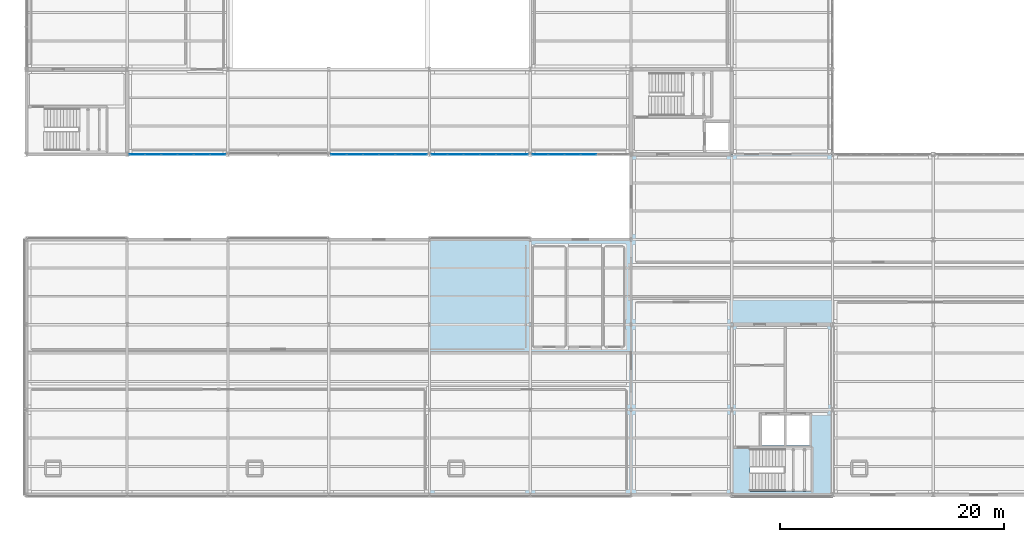
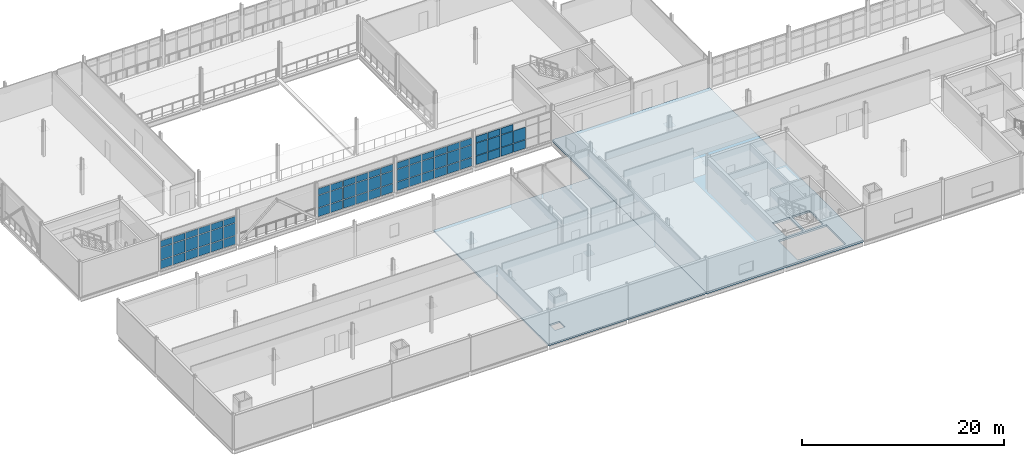
# One storey, part 128 of 174: 65 plates, 2 slabs, 4 elements without a shape of their own.
"""IFC4 building model written with IfcOpenShell, lengths in metres."""

from ifc_helpers import new_model, si_unit, direction, frame, origin, origin_2d, place, context, subcontext, project, spatial, polyline, rectangle, outline, extrude, material, layer, layer_set, type_object, element, aggregate, save


model = new_model("IFC4")

# Units and contexts
model_context = context("Model", 3, precision=1e-05, world=origin(), true_north=direction((0.0, 1.0)))
body_context = subcontext(model_context, "Body", "Model", "MODEL_VIEW")
ifc_project = project(units=[si_unit("LENGTHUNIT", "METRE"), si_unit("AREAUNIT", "SQUARE_METRE"), si_unit("VOLUMEUNIT", "CUBIC_METRE"), si_unit("PLANEANGLEUNIT", "RADIAN"), si_unit("MASSUNIT", "GRAM", prefix="KILO")], contexts=[model_context])

# Site, building, storey
site_placement = place(None, origin())
site = spatial("IfcSite", under=ifc_project, at=site_placement, CompositionType="ELEMENT")
building_placement = place(site_placement, origin())
building = spatial("IfcBuilding", under=site, at=building_placement, Name="Caisbarro Railhouse Central Library", CompositionType="ELEMENT")
storey_placement = place(building_placement, frame((0.0, 0.0, 5.0400390625)))
storey = spatial("IfcBuildingStorey", under=building, at=storey_placement, Name="L01", CompositionType="ELEMENT", Elevation=5.0400390625)

# Curtain wall, plates
ifc_material_1 = material(Name="Anodised architectural aluminium", Category="aluminium")
curtain_wall_type = type_object("IfcCurtainWallType", Name="CW-CW02", PredefinedType="NOTDEFINED", material=ifc_material_1)
curtain_wall_1_placement = place(storey_placement, origin())
curtain_wall_1 = element("IfcCurtainWall", 1, at=curtain_wall_1_placement, inside=storey, type_object=curtain_wall_type, Name="CW02 curtain wall L01 #34", PredefinedType="NOTDEFINED")
ifc_material_2 = material(Name="Double low-e laminated solar-control glass", Category="glass")
ifc_layer_1 = layer(ifc_material_2, 0.028076171875, Name="Double low-e laminated solar-control glass")
ifc_layer_set_1 = layer_set([ifc_layer_1], Name="Double low-e laminated solar-control glass")
plate_type_1 = type_object("IfcPlateType", Name="CWP-CP28", PredefinedType="CURTAIN_PANEL", material=ifc_layer_set_1)
plate_1_placement = place(storey_placement, frame((9.899658203125, 30.39990234375, 0.06494140625), z_axis=(0.0, 0.0, 1.0), x_axis=(1.0, 0.0, 0.0)))
plate_1 = element("IfcPlate", 2, at=plate_1_placement, type_object=plate_type_1, Name="CW02 panel 1.1", PredefinedType="CURTAIN_PANEL", context=body_context, shape_type="SweptSolid", body=[
    extrude(rectangle(XDim=1.34912109375, YDim=0.028076171875, at=origin_2d()), origin(), (0.0, 0.0, 1.0), 1.0224609375),
])
plate_2_placement = place(storey_placement, frame((9.899658203125, 30.39990234375, 1.15234375), z_axis=(0.0, 0.0, 1.0), x_axis=(1.0, 0.0, 0.0)))
plate_2 = element("IfcPlate", 3, at=plate_2_placement, type_object=plate_type_1, Name="CW02 panel 1.2", PredefinedType="CURTAIN_PANEL", context=body_context, shape_type="SweptSolid", body=[
    extrude(rectangle(XDim=1.34912109375, YDim=0.028076171875, at=origin_2d()), origin(), (0.0, 0.0, 1.0), 1.47509765625),
])
plate_3_placement = place(storey_placement, frame((9.899658203125, 30.39990234375, 2.6923828125), z_axis=(0.0, 0.0, 1.0), x_axis=(1.0, 0.0, 0.0)))
plate_3 = element("IfcPlate", 4, at=plate_3_placement, type_object=plate_type_1, Name="CW02 panel 1.3", PredefinedType="CURTAIN_PANEL", context=body_context, shape_type="SweptSolid", body=[
    extrude(rectangle(XDim=1.34912109375, YDim=0.028076171875, at=origin_2d()), origin(), (0.0, 0.0, 1.0), 0.75244140625),
])
plate_4_placement = place(storey_placement, frame((11.330078125, 30.39990234375, 0.06494140625), z_axis=(0.0, 0.0, 1.0), x_axis=(1.0, 0.0, 0.0)))
plate_4 = element("IfcPlate", 5, at=plate_4_placement, type_object=plate_type_1, Name="CW02 panel 2.1", PredefinedType="CURTAIN_PANEL", context=body_context, shape_type="SweptSolid", body=[
    extrude(rectangle(XDim=1.381591796875, YDim=0.028076171875, at=origin_2d()), origin(), (0.0, 0.0, 1.0), 1.0224609375),
])
plate_5_placement = place(storey_placement, frame((11.330078125, 30.39990234375, 1.15234375), z_axis=(0.0, 0.0, 1.0), x_axis=(1.0, 0.0, 0.0)))
plate_5 = element("IfcPlate", 6, at=plate_5_placement, type_object=plate_type_1, Name="CW02 panel 2.2", PredefinedType="CURTAIN_PANEL", context=body_context, shape_type="SweptSolid", body=[
    extrude(rectangle(XDim=1.381591796875, YDim=0.028076171875, at=origin_2d()), origin(), (0.0, 0.0, 1.0), 1.47509765625),
])
plate_6_placement = place(storey_placement, frame((11.330078125, 30.39990234375, 2.6923828125), z_axis=(0.0, 0.0, 1.0), x_axis=(1.0, 0.0, 0.0)))
plate_6 = element("IfcPlate", 7, at=plate_6_placement, type_object=plate_type_1, Name="CW02 panel 2.3", PredefinedType="CURTAIN_PANEL", context=body_context, shape_type="SweptSolid", body=[
    extrude(rectangle(XDim=1.381591796875, YDim=0.028076171875, at=origin_2d()), origin(), (0.0, 0.0, 1.0), 0.75244140625),
])
plate_7_placement = place(storey_placement, frame((12.776611328125, 30.39990234375, 0.06494140625), z_axis=(0.0, 0.0, 1.0), x_axis=(1.0, 0.0, 0.0)))
plate_7 = element("IfcPlate", 8, at=plate_7_placement, type_object=plate_type_1, Name="CW02 panel 3.1", PredefinedType="CURTAIN_PANEL", context=body_context, shape_type="SweptSolid", body=[
    extrude(rectangle(XDim=1.381591796875, YDim=0.028076171875, at=origin_2d()), origin(), (0.0, 0.0, 1.0), 1.0224609375),
])
plate_8_placement = place(storey_placement, frame((12.776611328125, 30.39990234375, 1.15234375), z_axis=(0.0, 0.0, 1.0), x_axis=(1.0, 0.0, 0.0)))
plate_8 = element("IfcPlate", 9, at=plate_8_placement, type_object=plate_type_1, Name="CW02 panel 3.2", PredefinedType="CURTAIN_PANEL", context=body_context, shape_type="SweptSolid", body=[
    extrude(rectangle(XDim=1.381591796875, YDim=0.028076171875, at=origin_2d()), origin(), (0.0, 0.0, 1.0), 1.47509765625),
])
plate_9_placement = place(storey_placement, frame((12.776611328125, 30.39990234375, 2.6923828125), z_axis=(0.0, 0.0, 1.0), x_axis=(1.0, 0.0, 0.0)))
plate_9 = element("IfcPlate", 10, at=plate_9_placement, type_object=plate_type_1, Name="CW02 panel 3.3", PredefinedType="CURTAIN_PANEL", context=body_context, shape_type="SweptSolid", body=[
    extrude(rectangle(XDim=1.381591796875, YDim=0.028076171875, at=origin_2d()), origin(), (0.0, 0.0, 1.0), 0.75244140625),
])
plate_10_placement = place(storey_placement, frame((14.223388671875, 30.39990234375, 0.06494140625), z_axis=(0.0, 0.0, 1.0), x_axis=(1.0, 0.0, 0.0)))
plate_10 = element("IfcPlate", 11, at=plate_10_placement, type_object=plate_type_1, Name="CW02 panel 4.1", PredefinedType="CURTAIN_PANEL", context=body_context, shape_type="SweptSolid", body=[
    extrude(rectangle(XDim=1.381591796875, YDim=0.028076171875, at=origin_2d()), origin(), (0.0, 0.0, 1.0), 1.0224609375),
])
plate_11_placement = place(storey_placement, frame((14.223388671875, 30.39990234375, 1.15234375), z_axis=(0.0, 0.0, 1.0), x_axis=(1.0, 0.0, 0.0)))
plate_11 = element("IfcPlate", 12, at=plate_11_placement, type_object=plate_type_1, Name="CW02 panel 4.2", PredefinedType="CURTAIN_PANEL", context=body_context, shape_type="SweptSolid", body=[
    extrude(rectangle(XDim=1.381591796875, YDim=0.028076171875, at=origin_2d()), origin(), (0.0, 0.0, 1.0), 1.47509765625),
])
plate_12_placement = place(storey_placement, frame((14.223388671875, 30.39990234375, 2.6923828125), z_axis=(0.0, 0.0, 1.0), x_axis=(1.0, 0.0, 0.0)))
plate_12 = element("IfcPlate", 13, at=plate_12_placement, type_object=plate_type_1, Name="CW02 panel 4.3", PredefinedType="CURTAIN_PANEL", context=body_context, shape_type="SweptSolid", body=[
    extrude(rectangle(XDim=1.381591796875, YDim=0.028076171875, at=origin_2d()), origin(), (0.0, 0.0, 1.0), 0.75244140625),
])
plate_13_placement = place(storey_placement, frame((15.669921875, 30.39990234375, 0.06494140625), z_axis=(0.0, 0.0, 1.0), x_axis=(1.0, 0.0, 0.0)))
plate_13 = element("IfcPlate", 14, at=plate_13_placement, type_object=plate_type_1, Name="CW02 panel 5.1", PredefinedType="CURTAIN_PANEL", context=body_context, shape_type="SweptSolid", body=[
    extrude(rectangle(XDim=1.381591796875, YDim=0.028076171875, at=origin_2d()), origin(), (0.0, 0.0, 1.0), 1.0224609375),
])
plate_14_placement = place(storey_placement, frame((15.669921875, 30.39990234375, 1.15234375), z_axis=(0.0, 0.0, 1.0), x_axis=(1.0, 0.0, 0.0)))
plate_14 = element("IfcPlate", 15, at=plate_14_placement, type_object=plate_type_1, Name="CW02 panel 5.2", PredefinedType="CURTAIN_PANEL", context=body_context, shape_type="SweptSolid", body=[
    extrude(rectangle(XDim=1.381591796875, YDim=0.028076171875, at=origin_2d()), origin(), (0.0, 0.0, 1.0), 1.47509765625),
])
plate_15_placement = place(storey_placement, frame((15.669921875, 30.39990234375, 2.6923828125), z_axis=(0.0, 0.0, 1.0), x_axis=(1.0, 0.0, 0.0)))
plate_15 = element("IfcPlate", 16, at=plate_15_placement, type_object=plate_type_1, Name="CW02 panel 5.3", PredefinedType="CURTAIN_PANEL", context=body_context, shape_type="SweptSolid", body=[
    extrude(rectangle(XDim=1.381591796875, YDim=0.028076171875, at=origin_2d()), origin(), (0.0, 0.0, 1.0), 0.75244140625),
])
plate_16_placement = place(storey_placement, frame((17.100341796875, 30.39990234375, 0.06494140625), z_axis=(0.0, 0.0, 1.0), x_axis=(1.0, 0.0, 0.0)))
plate_16 = element("IfcPlate", 17, at=plate_16_placement, type_object=plate_type_1, Name="CW02 panel 6.1", PredefinedType="CURTAIN_PANEL", context=body_context, shape_type="SweptSolid", body=[
    extrude(rectangle(XDim=1.34912109375, YDim=0.028076171875, at=origin_2d()), origin(), (0.0, 0.0, 1.0), 1.0224609375),
])
plate_17_placement = place(storey_placement, frame((17.100341796875, 30.39990234375, 1.15234375), z_axis=(0.0, 0.0, 1.0), x_axis=(1.0, 0.0, 0.0)))
plate_17 = element("IfcPlate", 18, at=plate_17_placement, type_object=plate_type_1, Name="CW02 panel 6.2", PredefinedType="CURTAIN_PANEL", context=body_context, shape_type="SweptSolid", body=[
    extrude(rectangle(XDim=1.34912109375, YDim=0.028076171875, at=origin_2d()), origin(), (0.0, 0.0, 1.0), 1.47509765625),
])
plate_18_placement = place(storey_placement, frame((17.100341796875, 30.39990234375, 2.6923828125), z_axis=(0.0, 0.0, 1.0), x_axis=(1.0, 0.0, 0.0)))
plate_18 = element("IfcPlate", 19, at=plate_18_placement, type_object=plate_type_1, Name="CW02 panel 6.3", PredefinedType="CURTAIN_PANEL", context=body_context, shape_type="SweptSolid", body=[
    extrude(rectangle(XDim=1.34912109375, YDim=0.028076171875, at=origin_2d()), origin(), (0.0, 0.0, 1.0), 0.75244140625),
])
aggregate(curtain_wall_1, [plate_1, plate_2, plate_3, plate_4, plate_5, plate_6, plate_7, plate_8, plate_9, plate_10, plate_11, plate_12, plate_13, plate_14, plate_15, plate_16, plate_17, plate_18])

curtain_wall_2_placement = place(storey_placement, origin())
curtain_wall_2 = element("IfcCurtainWall", 20, at=curtain_wall_2_placement, inside=storey, type_object=curtain_wall_type, Name="CW02 curtain wall L01 #35", PredefinedType="NOTDEFINED")
ifc_layer_2 = layer(ifc_material_2, 0.048095703125, Name="Double low-e laminated solar-control glass")
ifc_layer_set_2 = layer_set([ifc_layer_2], Name="Double low-e laminated solar-control glass")
plate_type_2 = type_object("IfcPlateType", Name="CWP-CP48", PredefinedType="CURTAIN_PANEL", material=ifc_layer_set_2)
plate_19_placement = place(storey_placement, frame((27.899658203125, 30.39990234375, 0.06494140625), z_axis=(0.0, 0.0, 1.0), x_axis=(1.0, 0.0, 0.0)))
plate_19 = element("IfcPlate", 21, at=plate_19_placement, type_object=plate_type_2, Name="CW02 panel 1.1", PredefinedType="CURTAIN_PANEL", context=body_context, shape_type="SweptSolid", body=[
    extrude(rectangle(XDim=1.34912109375, YDim=0.048095703125, at=origin_2d()), origin(), (0.0, 0.0, 1.0), 1.0224609375),
])
plate_20_placement = place(storey_placement, frame((27.899658203125, 30.39990234375, 1.15234375), z_axis=(0.0, 0.0, 1.0), x_axis=(1.0, 0.0, 0.0)))
plate_20 = element("IfcPlate", 22, at=plate_20_placement, type_object=plate_type_2, Name="CW02 panel 1.2", PredefinedType="CURTAIN_PANEL", context=body_context, shape_type="SweptSolid", body=[
    extrude(rectangle(XDim=1.34912109375, YDim=0.048095703125, at=origin_2d()), origin(), (0.0, 0.0, 1.0), 1.47509765625),
])
plate_21_placement = place(storey_placement, frame((27.899658203125, 30.39990234375, 2.6923828125), z_axis=(0.0, 0.0, 1.0), x_axis=(1.0, 0.0, 0.0)))
plate_21 = element("IfcPlate", 23, at=plate_21_placement, type_object=plate_type_2, Name="CW02 panel 1.3", PredefinedType="CURTAIN_PANEL", context=body_context, shape_type="SweptSolid", body=[
    extrude(rectangle(XDim=1.34912109375, YDim=0.048095703125, at=origin_2d()), origin(), (0.0, 0.0, 1.0), 0.75244140625),
])
plate_22_placement = place(storey_placement, frame((29.330078125, 30.39990234375, 0.06494140625), z_axis=(0.0, 0.0, 1.0), x_axis=(1.0, 0.0, 0.0)))
plate_22 = element("IfcPlate", 24, at=plate_22_placement, type_object=plate_type_2, Name="CW02 panel 2.1", PredefinedType="CURTAIN_PANEL", context=body_context, shape_type="SweptSolid", body=[
    extrude(rectangle(XDim=1.381591796875, YDim=0.048095703125, at=origin_2d()), origin(), (0.0, 0.0, 1.0), 1.0224609375),
])
plate_23_placement = place(storey_placement, frame((29.330078125, 30.39990234375, 1.15234375), z_axis=(0.0, 0.0, 1.0), x_axis=(1.0, 0.0, 0.0)))
plate_23 = element("IfcPlate", 25, at=plate_23_placement, type_object=plate_type_2, Name="CW02 panel 2.2", PredefinedType="CURTAIN_PANEL", context=body_context, shape_type="SweptSolid", body=[
    extrude(rectangle(XDim=1.381591796875, YDim=0.048095703125, at=origin_2d()), origin(), (0.0, 0.0, 1.0), 1.47509765625),
])
plate_24_placement = place(storey_placement, frame((29.330078125, 30.39990234375, 2.6923828125), z_axis=(0.0, 0.0, 1.0), x_axis=(1.0, 0.0, 0.0)))
plate_24 = element("IfcPlate", 26, at=plate_24_placement, type_object=plate_type_2, Name="CW02 panel 2.3", PredefinedType="CURTAIN_PANEL", context=body_context, shape_type="SweptSolid", body=[
    extrude(rectangle(XDim=1.381591796875, YDim=0.048095703125, at=origin_2d()), origin(), (0.0, 0.0, 1.0), 0.75244140625),
])
plate_25_placement = place(storey_placement, frame((30.776611328125, 30.39990234375, 0.06494140625), z_axis=(0.0, 0.0, 1.0), x_axis=(1.0, 0.0, 0.0)))
plate_25 = element("IfcPlate", 27, at=plate_25_placement, type_object=plate_type_2, Name="CW02 panel 3.1", PredefinedType="CURTAIN_PANEL", context=body_context, shape_type="SweptSolid", body=[
    extrude(rectangle(XDim=1.381591796875, YDim=0.048095703125, at=origin_2d()), origin(), (0.0, 0.0, 1.0), 1.0224609375),
])
plate_26_placement = place(storey_placement, frame((30.776611328125, 30.39990234375, 1.15234375), z_axis=(0.0, 0.0, 1.0), x_axis=(1.0, 0.0, 0.0)))
plate_26 = element("IfcPlate", 28, at=plate_26_placement, type_object=plate_type_2, Name="CW02 panel 3.2", PredefinedType="CURTAIN_PANEL", context=body_context, shape_type="SweptSolid", body=[
    extrude(rectangle(XDim=1.381591796875, YDim=0.048095703125, at=origin_2d()), origin(), (0.0, 0.0, 1.0), 1.47509765625),
])
plate_27_placement = place(storey_placement, frame((30.776611328125, 30.39990234375, 2.6923828125), z_axis=(0.0, 0.0, 1.0), x_axis=(1.0, 0.0, 0.0)))
plate_27 = element("IfcPlate", 29, at=plate_27_placement, type_object=plate_type_2, Name="CW02 panel 3.3", PredefinedType="CURTAIN_PANEL", context=body_context, shape_type="SweptSolid", body=[
    extrude(rectangle(XDim=1.381591796875, YDim=0.048095703125, at=origin_2d()), origin(), (0.0, 0.0, 1.0), 0.75244140625),
])
plate_28_placement = place(storey_placement, frame((32.223388671875, 30.39990234375, 0.06494140625), z_axis=(0.0, 0.0, 1.0), x_axis=(1.0, 0.0, 0.0)))
plate_28 = element("IfcPlate", 30, at=plate_28_placement, type_object=plate_type_2, Name="CW02 panel 4.1", PredefinedType="CURTAIN_PANEL", context=body_context, shape_type="SweptSolid", body=[
    extrude(rectangle(XDim=1.381591796875, YDim=0.048095703125, at=origin_2d()), origin(), (0.0, 0.0, 1.0), 1.0224609375),
])
plate_29_placement = place(storey_placement, frame((32.223388671875, 30.39990234375, 1.15234375), z_axis=(0.0, 0.0, 1.0), x_axis=(1.0, 0.0, 0.0)))
plate_29 = element("IfcPlate", 31, at=plate_29_placement, type_object=plate_type_2, Name="CW02 panel 4.2", PredefinedType="CURTAIN_PANEL", context=body_context, shape_type="SweptSolid", body=[
    extrude(rectangle(XDim=1.381591796875, YDim=0.048095703125, at=origin_2d()), origin(), (0.0, 0.0, 1.0), 1.47509765625),
])
plate_30_placement = place(storey_placement, frame((32.223388671875, 30.39990234375, 2.6923828125), z_axis=(0.0, 0.0, 1.0), x_axis=(1.0, 0.0, 0.0)))
plate_30 = element("IfcPlate", 32, at=plate_30_placement, type_object=plate_type_2, Name="CW02 panel 4.3", PredefinedType="CURTAIN_PANEL", context=body_context, shape_type="SweptSolid", body=[
    extrude(rectangle(XDim=1.381591796875, YDim=0.048095703125, at=origin_2d()), origin(), (0.0, 0.0, 1.0), 0.75244140625),
])
plate_31_placement = place(storey_placement, frame((33.669921875, 30.39990234375, 0.06494140625), z_axis=(0.0, 0.0, 1.0), x_axis=(1.0, 0.0, 0.0)))
plate_31 = element("IfcPlate", 33, at=plate_31_placement, type_object=plate_type_2, Name="CW02 panel 5.1", PredefinedType="CURTAIN_PANEL", context=body_context, shape_type="SweptSolid", body=[
    extrude(rectangle(XDim=1.381591796875, YDim=0.048095703125, at=origin_2d()), origin(), (0.0, 0.0, 1.0), 1.0224609375),
])
plate_32_placement = place(storey_placement, frame((33.669921875, 30.39990234375, 1.15234375), z_axis=(0.0, 0.0, 1.0), x_axis=(1.0, 0.0, 0.0)))
plate_32 = element("IfcPlate", 34, at=plate_32_placement, type_object=plate_type_2, Name="CW02 panel 5.2", PredefinedType="CURTAIN_PANEL", context=body_context, shape_type="SweptSolid", body=[
    extrude(rectangle(XDim=1.381591796875, YDim=0.048095703125, at=origin_2d()), origin(), (0.0, 0.0, 1.0), 1.47509765625),
])
plate_33_placement = place(storey_placement, frame((33.669921875, 30.39990234375, 2.6923828125), z_axis=(0.0, 0.0, 1.0), x_axis=(1.0, 0.0, 0.0)))
plate_33 = element("IfcPlate", 35, at=plate_33_placement, type_object=plate_type_2, Name="CW02 panel 5.3", PredefinedType="CURTAIN_PANEL", context=body_context, shape_type="SweptSolid", body=[
    extrude(rectangle(XDim=1.381591796875, YDim=0.048095703125, at=origin_2d()), origin(), (0.0, 0.0, 1.0), 0.75244140625),
])
plate_34_placement = place(storey_placement, frame((35.100341796875, 30.39990234375, 0.06494140625), z_axis=(0.0, 0.0, 1.0), x_axis=(1.0, 0.0, 0.0)))
plate_34 = element("IfcPlate", 36, at=plate_34_placement, type_object=plate_type_2, Name="CW02 panel 6.1", PredefinedType="CURTAIN_PANEL", context=body_context, shape_type="SweptSolid", body=[
    extrude(rectangle(XDim=1.34912109375, YDim=0.048095703125, at=origin_2d()), origin(), (0.0, 0.0, 1.0), 1.0224609375),
])
plate_35_placement = place(storey_placement, frame((35.100341796875, 30.39990234375, 1.15234375), z_axis=(0.0, 0.0, 1.0), x_axis=(1.0, 0.0, 0.0)))
plate_35 = element("IfcPlate", 37, at=plate_35_placement, type_object=plate_type_2, Name="CW02 panel 6.2", PredefinedType="CURTAIN_PANEL", context=body_context, shape_type="SweptSolid", body=[
    extrude(rectangle(XDim=1.34912109375, YDim=0.048095703125, at=origin_2d()), origin(), (0.0, 0.0, 1.0), 1.47509765625),
])
plate_36_placement = place(storey_placement, frame((35.100341796875, 30.39990234375, 2.6923828125), z_axis=(0.0, 0.0, 1.0), x_axis=(1.0, 0.0, 0.0)))
plate_36 = element("IfcPlate", 38, at=plate_36_placement, type_object=plate_type_2, Name="CW02 panel 6.3", PredefinedType="CURTAIN_PANEL", context=body_context, shape_type="SweptSolid", body=[
    extrude(rectangle(XDim=1.34912109375, YDim=0.048095703125, at=origin_2d()), origin(), (0.0, 0.0, 1.0), 0.75244140625),
])
aggregate(curtain_wall_2, [plate_19, plate_20, plate_21, plate_22, plate_23, plate_24, plate_25, plate_26, plate_27, plate_28, plate_29, plate_30, plate_31, plate_32, plate_33, plate_34, plate_35, plate_36])

curtain_wall_3_placement = place(storey_placement, origin())
curtain_wall_3 = element("IfcCurtainWall", 39, at=curtain_wall_3_placement, inside=storey, type_object=curtain_wall_type, Name="CW02 curtain wall L01 #36", PredefinedType="NOTDEFINED")
ifc_layer_3 = layer(ifc_material_2, 0.05810546875, Name="Double low-e laminated solar-control glass")
ifc_layer_set_3 = layer_set([ifc_layer_3], Name="Double low-e laminated solar-control glass")
plate_type_3 = type_object("IfcPlateType", Name="CWP-CP58", PredefinedType="CURTAIN_PANEL", material=ifc_layer_set_3)
plate_37_placement = place(storey_placement, frame((36.899658203125, 30.39990234375, 0.06494140625), z_axis=(0.0, 0.0, 1.0), x_axis=(1.0, 0.0, 0.0)))
plate_37 = element("IfcPlate", 40, at=plate_37_placement, type_object=plate_type_3, Name="CW02 panel 1.1", PredefinedType="CURTAIN_PANEL", context=body_context, shape_type="SweptSolid", body=[
    extrude(rectangle(XDim=1.34912109375, YDim=0.05810546875, at=origin_2d()), origin(), (0.0, 0.0, 1.0), 1.0224609375),
])
plate_38_placement = place(storey_placement, frame((36.899658203125, 30.39990234375, 1.15234375), z_axis=(0.0, 0.0, 1.0), x_axis=(1.0, 0.0, 0.0)))
plate_38 = element("IfcPlate", 41, at=plate_38_placement, type_object=plate_type_3, Name="CW02 panel 1.2", PredefinedType="CURTAIN_PANEL", context=body_context, shape_type="SweptSolid", body=[
    extrude(rectangle(XDim=1.34912109375, YDim=0.05810546875, at=origin_2d()), origin(), (0.0, 0.0, 1.0), 1.47509765625),
])
plate_39_placement = place(storey_placement, frame((36.899658203125, 30.39990234375, 2.6923828125), z_axis=(0.0, 0.0, 1.0), x_axis=(1.0, 0.0, 0.0)))
plate_39 = element("IfcPlate", 42, at=plate_39_placement, type_object=plate_type_3, Name="CW02 panel 1.3", PredefinedType="CURTAIN_PANEL", context=body_context, shape_type="SweptSolid", body=[
    extrude(rectangle(XDim=1.34912109375, YDim=0.05810546875, at=origin_2d()), origin(), (0.0, 0.0, 1.0), 0.75244140625),
])
plate_40_placement = place(storey_placement, frame((38.330078125, 30.39990234375, 0.06494140625), z_axis=(0.0, 0.0, 1.0), x_axis=(1.0, 0.0, 0.0)))
plate_40 = element("IfcPlate", 43, at=plate_40_placement, type_object=plate_type_3, Name="CW02 panel 2.1", PredefinedType="CURTAIN_PANEL", context=body_context, shape_type="SweptSolid", body=[
    extrude(rectangle(XDim=1.381591796875, YDim=0.05810546875, at=origin_2d()), origin(), (0.0, 0.0, 1.0), 1.0224609375),
])
plate_41_placement = place(storey_placement, frame((38.330078125, 30.39990234375, 1.15234375), z_axis=(0.0, 0.0, 1.0), x_axis=(1.0, 0.0, 0.0)))
plate_41 = element("IfcPlate", 44, at=plate_41_placement, type_object=plate_type_3, Name="CW02 panel 2.2", PredefinedType="CURTAIN_PANEL", context=body_context, shape_type="SweptSolid", body=[
    extrude(rectangle(XDim=1.381591796875, YDim=0.05810546875, at=origin_2d()), origin(), (0.0, 0.0, 1.0), 1.47509765625),
])
plate_42_placement = place(storey_placement, frame((38.330078125, 30.39990234375, 2.6923828125), z_axis=(0.0, 0.0, 1.0), x_axis=(1.0, 0.0, 0.0)))
plate_42 = element("IfcPlate", 45, at=plate_42_placement, type_object=plate_type_3, Name="CW02 panel 2.3", PredefinedType="CURTAIN_PANEL", context=body_context, shape_type="SweptSolid", body=[
    extrude(rectangle(XDim=1.381591796875, YDim=0.05810546875, at=origin_2d()), origin(), (0.0, 0.0, 1.0), 0.75244140625),
])
plate_43_placement = place(storey_placement, frame((39.776611328125, 30.39990234375, 0.06494140625), z_axis=(0.0, 0.0, 1.0), x_axis=(1.0, 0.0, 0.0)))
plate_43 = element("IfcPlate", 46, at=plate_43_placement, type_object=plate_type_3, Name="CW02 panel 3.1", PredefinedType="CURTAIN_PANEL", context=body_context, shape_type="SweptSolid", body=[
    extrude(rectangle(XDim=1.381591796875, YDim=0.05810546875, at=origin_2d()), origin(), (0.0, 0.0, 1.0), 1.0224609375),
])
plate_44_placement = place(storey_placement, frame((39.776611328125, 30.39990234375, 1.15234375), z_axis=(0.0, 0.0, 1.0), x_axis=(1.0, 0.0, 0.0)))
plate_44 = element("IfcPlate", 47, at=plate_44_placement, type_object=plate_type_3, Name="CW02 panel 3.2", PredefinedType="CURTAIN_PANEL", context=body_context, shape_type="SweptSolid", body=[
    extrude(rectangle(XDim=1.381591796875, YDim=0.05810546875, at=origin_2d()), origin(), (0.0, 0.0, 1.0), 1.47509765625),
])
plate_45_placement = place(storey_placement, frame((39.776611328125, 30.39990234375, 2.6923828125), z_axis=(0.0, 0.0, 1.0), x_axis=(1.0, 0.0, 0.0)))
plate_45 = element("IfcPlate", 48, at=plate_45_placement, type_object=plate_type_3, Name="CW02 panel 3.3", PredefinedType="CURTAIN_PANEL", context=body_context, shape_type="SweptSolid", body=[
    extrude(rectangle(XDim=1.381591796875, YDim=0.05810546875, at=origin_2d()), origin(), (0.0, 0.0, 1.0), 0.75244140625),
])
plate_46_placement = place(storey_placement, frame((41.223388671875, 30.39990234375, 0.06494140625), z_axis=(0.0, 0.0, 1.0), x_axis=(1.0, 0.0, 0.0)))
plate_46 = element("IfcPlate", 49, at=plate_46_placement, type_object=plate_type_3, Name="CW02 panel 4.1", PredefinedType="CURTAIN_PANEL", context=body_context, shape_type="SweptSolid", body=[
    extrude(rectangle(XDim=1.381591796875, YDim=0.05810546875, at=origin_2d()), origin(), (0.0, 0.0, 1.0), 1.0224609375),
])
plate_47_placement = place(storey_placement, frame((41.223388671875, 30.39990234375, 1.15234375), z_axis=(0.0, 0.0, 1.0), x_axis=(1.0, 0.0, 0.0)))
plate_47 = element("IfcPlate", 50, at=plate_47_placement, type_object=plate_type_3, Name="CW02 panel 4.2", PredefinedType="CURTAIN_PANEL", context=body_context, shape_type="SweptSolid", body=[
    extrude(rectangle(XDim=1.381591796875, YDim=0.05810546875, at=origin_2d()), origin(), (0.0, 0.0, 1.0), 1.47509765625),
])
plate_48_placement = place(storey_placement, frame((41.223388671875, 30.39990234375, 2.6923828125), z_axis=(0.0, 0.0, 1.0), x_axis=(1.0, 0.0, 0.0)))
plate_48 = element("IfcPlate", 51, at=plate_48_placement, type_object=plate_type_3, Name="CW02 panel 4.3", PredefinedType="CURTAIN_PANEL", context=body_context, shape_type="SweptSolid", body=[
    extrude(rectangle(XDim=1.381591796875, YDim=0.05810546875, at=origin_2d()), origin(), (0.0, 0.0, 1.0), 0.75244140625),
])
plate_49_placement = place(storey_placement, frame((42.669921875, 30.39990234375, 0.06494140625), z_axis=(0.0, 0.0, 1.0), x_axis=(1.0, 0.0, 0.0)))
plate_49 = element("IfcPlate", 52, at=plate_49_placement, type_object=plate_type_3, Name="CW02 panel 5.1", PredefinedType="CURTAIN_PANEL", context=body_context, shape_type="SweptSolid", body=[
    extrude(rectangle(XDim=1.381591796875, YDim=0.05810546875, at=origin_2d()), origin(), (0.0, 0.0, 1.0), 1.0224609375),
])
plate_50_placement = place(storey_placement, frame((42.669921875, 30.39990234375, 1.15234375), z_axis=(0.0, 0.0, 1.0), x_axis=(1.0, 0.0, 0.0)))
plate_50 = element("IfcPlate", 53, at=plate_50_placement, type_object=plate_type_3, Name="CW02 panel 5.2", PredefinedType="CURTAIN_PANEL", context=body_context, shape_type="SweptSolid", body=[
    extrude(rectangle(XDim=1.381591796875, YDim=0.05810546875, at=origin_2d()), origin(), (0.0, 0.0, 1.0), 1.47509765625),
])
plate_51_placement = place(storey_placement, frame((42.669921875, 30.39990234375, 2.6923828125), z_axis=(0.0, 0.0, 1.0), x_axis=(1.0, 0.0, 0.0)))
plate_51 = element("IfcPlate", 54, at=plate_51_placement, type_object=plate_type_3, Name="CW02 panel 5.3", PredefinedType="CURTAIN_PANEL", context=body_context, shape_type="SweptSolid", body=[
    extrude(rectangle(XDim=1.381591796875, YDim=0.05810546875, at=origin_2d()), origin(), (0.0, 0.0, 1.0), 0.75244140625),
])
plate_52_placement = place(storey_placement, frame((44.100341796875, 30.39990234375, 0.06494140625), z_axis=(0.0, 0.0, 1.0), x_axis=(1.0, 0.0, 0.0)))
plate_52 = element("IfcPlate", 55, at=plate_52_placement, type_object=plate_type_3, Name="CW02 panel 6.1", PredefinedType="CURTAIN_PANEL", context=body_context, shape_type="SweptSolid", body=[
    extrude(rectangle(XDim=1.34912109375, YDim=0.05810546875, at=origin_2d()), origin(), (0.0, 0.0, 1.0), 1.0224609375),
])
plate_53_placement = place(storey_placement, frame((44.100341796875, 30.39990234375, 1.15234375), z_axis=(0.0, 0.0, 1.0), x_axis=(1.0, 0.0, 0.0)))
plate_53 = element("IfcPlate", 56, at=plate_53_placement, type_object=plate_type_3, Name="CW02 panel 6.2", PredefinedType="CURTAIN_PANEL", context=body_context, shape_type="SweptSolid", body=[
    extrude(rectangle(XDim=1.34912109375, YDim=0.05810546875, at=origin_2d()), origin(), (0.0, 0.0, 1.0), 1.47509765625),
])
plate_54_placement = place(storey_placement, frame((44.100341796875, 30.39990234375, 2.6923828125), z_axis=(0.0, 0.0, 1.0), x_axis=(1.0, 0.0, 0.0)))
plate_54 = element("IfcPlate", 57, at=plate_54_placement, type_object=plate_type_3, Name="CW02 panel 6.3", PredefinedType="CURTAIN_PANEL", context=body_context, shape_type="SweptSolid", body=[
    extrude(rectangle(XDim=1.34912109375, YDim=0.05810546875, at=origin_2d()), origin(), (0.0, 0.0, 1.0), 0.75244140625),
])
aggregate(curtain_wall_3, [plate_37, plate_38, plate_39, plate_40, plate_41, plate_42, plate_43, plate_44, plate_45, plate_46, plate_47, plate_48, plate_49, plate_50, plate_51, plate_52, plate_53, plate_54])

curtain_wall_4_placement = place(storey_placement, origin())
curtain_wall_4 = element("IfcCurtainWall", 58, at=curtain_wall_4_placement, inside=storey, type_object=curtain_wall_type, Name="CW02 curtain wall L01 #37", PredefinedType="NOTDEFINED")
ifc_layer_4 = layer(ifc_material_2, 0.068115234375, Name="Double low-e laminated solar-control glass")
ifc_layer_set_4 = layer_set([ifc_layer_4], Name="Double low-e laminated solar-control glass")
plate_type_4 = type_object("IfcPlateType", Name="CWP-CP68", PredefinedType="CURTAIN_PANEL", material=ifc_layer_set_4)
plate_55_placement = place(storey_placement, frame((45.899658203125, 30.39990234375, 0.06494140625), z_axis=(0.0, 0.0, 1.0), x_axis=(1.0, 0.0, 0.0)))
plate_55 = element("IfcPlate", 59, at=plate_55_placement, type_object=plate_type_4, Name="CW02 panel 1.1", PredefinedType="CURTAIN_PANEL", context=body_context, shape_type="SweptSolid", body=[
    extrude(rectangle(XDim=1.34912109375, YDim=0.068115234375, at=origin_2d()), origin(), (0.0, 0.0, 1.0), 1.0224609375),
])
plate_56_placement = place(storey_placement, frame((45.899658203125, 30.39990234375, 1.15234375), z_axis=(0.0, 0.0, 1.0), x_axis=(1.0, 0.0, 0.0)))
plate_56 = element("IfcPlate", 60, at=plate_56_placement, type_object=plate_type_4, Name="CW02 panel 1.2", PredefinedType="CURTAIN_PANEL", context=body_context, shape_type="SweptSolid", body=[
    extrude(rectangle(XDim=1.34912109375, YDim=0.068115234375, at=origin_2d()), origin(), (0.0, 0.0, 1.0), 1.47509765625),
])
plate_57_placement = place(storey_placement, frame((45.899658203125, 30.39990234375, 2.6923828125), z_axis=(0.0, 0.0, 1.0), x_axis=(1.0, 0.0, 0.0)))
plate_57 = element("IfcPlate", 61, at=plate_57_placement, type_object=plate_type_4, Name="CW02 panel 1.3", PredefinedType="CURTAIN_PANEL", context=body_context, shape_type="SweptSolid", body=[
    extrude(rectangle(XDim=1.34912109375, YDim=0.068115234375, at=origin_2d()), origin(), (0.0, 0.0, 1.0), 0.75244140625),
])
plate_58_placement = place(storey_placement, frame((47.330078125, 30.39990234375, 0.06494140625), z_axis=(0.0, 0.0, 1.0), x_axis=(1.0, 0.0, 0.0)))
plate_58 = element("IfcPlate", 62, at=plate_58_placement, type_object=plate_type_4, Name="CW02 panel 2.1", PredefinedType="CURTAIN_PANEL", context=body_context, shape_type="SweptSolid", body=[
    extrude(rectangle(XDim=1.381591796875, YDim=0.068115234375, at=origin_2d()), origin(), (0.0, 0.0, 1.0), 1.0224609375),
])
plate_59_placement = place(storey_placement, frame((47.330078125, 30.39990234375, 1.15234375), z_axis=(0.0, 0.0, 1.0), x_axis=(1.0, 0.0, 0.0)))
plate_59 = element("IfcPlate", 63, at=plate_59_placement, type_object=plate_type_4, Name="CW02 panel 2.2", PredefinedType="CURTAIN_PANEL", context=body_context, shape_type="SweptSolid", body=[
    extrude(rectangle(XDim=1.381591796875, YDim=0.068115234375, at=origin_2d()), origin(), (0.0, 0.0, 1.0), 1.47509765625),
])
plate_60_placement = place(storey_placement, frame((47.330078125, 30.39990234375, 2.6923828125), z_axis=(0.0, 0.0, 1.0), x_axis=(1.0, 0.0, 0.0)))
plate_60 = element("IfcPlate", 64, at=plate_60_placement, type_object=plate_type_4, Name="CW02 panel 2.3", PredefinedType="CURTAIN_PANEL", context=body_context, shape_type="SweptSolid", body=[
    extrude(rectangle(XDim=1.381591796875, YDim=0.068115234375, at=origin_2d()), origin(), (0.0, 0.0, 1.0), 0.75244140625),
])
plate_61_placement = place(storey_placement, frame((48.776611328125, 30.39990234375, 0.06494140625), z_axis=(0.0, 0.0, 1.0), x_axis=(1.0, 0.0, 0.0)))
plate_61 = element("IfcPlate", 65, at=plate_61_placement, type_object=plate_type_4, Name="CW02 panel 3.1", PredefinedType="CURTAIN_PANEL", context=body_context, shape_type="SweptSolid", body=[
    extrude(rectangle(XDim=1.381591796875, YDim=0.068115234375, at=origin_2d()), origin(), (0.0, 0.0, 1.0), 1.0224609375),
])
plate_62_placement = place(storey_placement, frame((48.776611328125, 30.39990234375, 1.15234375), z_axis=(0.0, 0.0, 1.0), x_axis=(1.0, 0.0, 0.0)))
plate_62 = element("IfcPlate", 66, at=plate_62_placement, type_object=plate_type_4, Name="CW02 panel 3.2", PredefinedType="CURTAIN_PANEL", context=body_context, shape_type="SweptSolid", body=[
    extrude(rectangle(XDim=1.381591796875, YDim=0.068115234375, at=origin_2d()), origin(), (0.0, 0.0, 1.0), 1.47509765625),
])
plate_63_placement = place(storey_placement, frame((48.776611328125, 30.39990234375, 2.6923828125), z_axis=(0.0, 0.0, 1.0), x_axis=(1.0, 0.0, 0.0)))
plate_63 = element("IfcPlate", 67, at=plate_63_placement, type_object=plate_type_4, Name="CW02 panel 3.3", PredefinedType="CURTAIN_PANEL", context=body_context, shape_type="SweptSolid", body=[
    extrude(rectangle(XDim=1.381591796875, YDim=0.068115234375, at=origin_2d()), origin(), (0.0, 0.0, 1.0), 0.75244140625),
])
plate_64_placement = place(storey_placement, frame((50.223388671875, 30.39990234375, 0.06494140625), z_axis=(0.0, 0.0, 1.0), x_axis=(1.0, 0.0, 0.0)))
plate_64 = element("IfcPlate", 68, at=plate_64_placement, type_object=plate_type_4, Name="CW02 panel 4.1", PredefinedType="CURTAIN_PANEL", context=body_context, shape_type="SweptSolid", body=[
    extrude(rectangle(XDim=1.381591796875, YDim=0.068115234375, at=origin_2d()), origin(), (0.0, 0.0, 1.0), 1.0224609375),
])
plate_65_placement = place(storey_placement, frame((50.223388671875, 30.39990234375, 1.15234375), z_axis=(0.0, 0.0, 1.0), x_axis=(1.0, 0.0, 0.0)))
plate_65 = element("IfcPlate", 69, at=plate_65_placement, type_object=plate_type_4, Name="CW02 panel 4.2", PredefinedType="CURTAIN_PANEL", context=body_context, shape_type="SweptSolid", body=[
    extrude(rectangle(XDim=1.381591796875, YDim=0.068115234375, at=origin_2d()), origin(), (0.0, 0.0, 1.0), 1.47509765625),
])
aggregate(curtain_wall_4, [plate_55, plate_56, plate_57, plate_58, plate_59, plate_60, plate_61, plate_62, plate_63, plate_64, plate_65])

# Slabs
ifc_material_3 = material(Name="Concrete C35", Category="concrete")
ifc_layer_5 = layer(ifc_material_3, 0.199951171875, Name="Concrete C35")
ifc_layer_set_5 = layer_set([ifc_layer_5], Name="Concrete C35")
slab_type_1 = type_object("IfcSlabType", Name="SLB-FL20", PredefinedType="FLOOR", material=ifc_layer_set_5)
slab_1_placement = place(storey_placement, frame((0.0, 0.0, -0.199951171875)))
element("IfcSlab", 70, at=slab_1_placement, inside=storey, type_object=slab_type_1, Name="SF20 structural slab L01 V5W.3", PredefinedType="FLOOR", context=body_context, shape_type="SweptSolid", body=[
    extrude(outline(polyline([(36.0, 0.0), (54.0, 0.0), (54.0, 22.800048828125), (36.0, 22.800048828125), (36.0, 0.0)]), holes=[polyline([(37.800048828125, 1.800048828125), (38.9599609375, 1.800048828125), (38.9599609375, 2.919921875), (37.800048828125, 2.919921875), (37.800048828125, 1.800048828125)])]), origin(), (0.0, 0.0, 1.0), 0.199951171875),
])
ifc_layer_6 = layer(ifc_material_3, 0.239990234375, Name="Concrete C35")
ifc_layer_set_6 = layer_set([ifc_layer_6], Name="Concrete C35")
slab_type_2 = type_object("IfcSlabType", Name="SLB-FL24", PredefinedType="FLOOR", material=ifc_layer_set_6)
slab_2_placement = place(storey_placement, frame((0.0, 0.0, -0.239990234375)))
element("IfcSlab", 71, at=slab_2_placement, inside=storey, type_object=slab_type_2, Name="SF24 structural slab L01 V5.1", PredefinedType="FLOOR", context=body_context, shape_type="SweptSolid", body=[
    extrude(outline(polyline([(54.0, 0.0), (72.0, 0.0), (72.0, 30.39990234375), (54.0, 30.39990234375), (54.0, 0.0)]), holes=[polyline([(64.64990234375, 0.300048828125), (70.14990234375, 0.300048828125), (70.14990234375, 4.14990234375), (64.64990234375, 4.14990234375), (64.64990234375, 0.300048828125)]), polyline([(65.699951171875, 4.39990234375), (67.64990234375, 4.39990234375), (67.64990234375, 7.10009765625), (65.699951171875, 7.10009765625), (65.699951171875, 4.39990234375)]), polyline([(67.89990234375, 4.39990234375), (69.949951171875, 4.39990234375), (69.949951171875, 7.10009765625), (67.89990234375, 7.10009765625), (67.89990234375, 4.39990234375)])]), origin(), (0.0, 0.0, 1.0), 0.239990234375),
])

save(model, "model.ifc")
